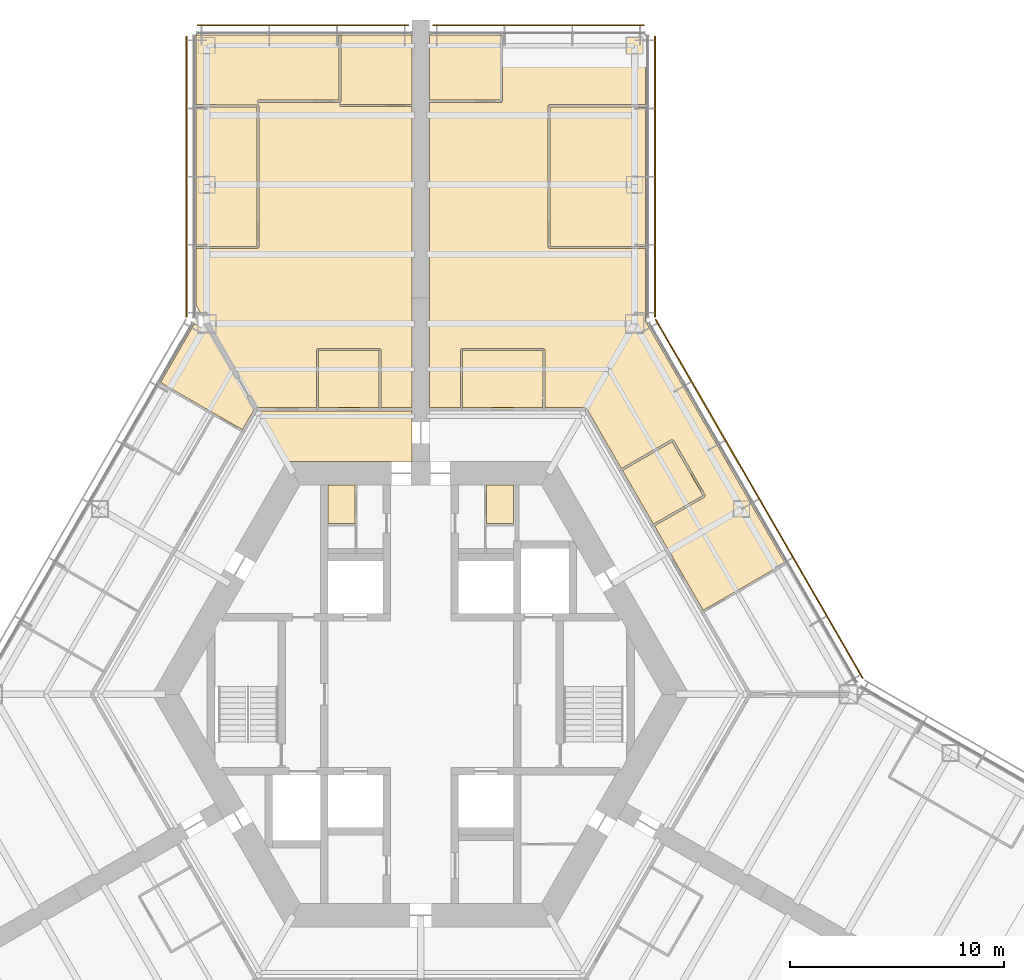
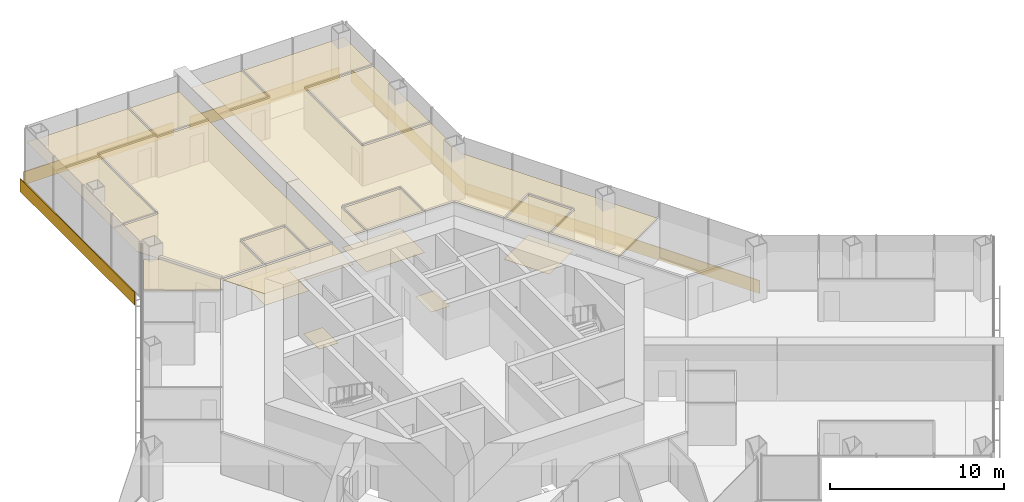
# One storey, part 19 of 19: 17 coverings, 5 shading devices.
"""IFC4 building model written with IfcOpenShell, lengths in metres."""

from ifc_helpers import new_model, si_unit, direction, frame, origin, origin_2d, place, context, subcontext, project, spatial, polyline, rectangle, outline, extrude, material, layer, layer_set, type_object, element, save


model = new_model("IFC4")

# Units and contexts
model_context = context("Model", 3, precision=1e-05, world=origin(), true_north=direction((0.0, 1.0)))
body_context = subcontext(model_context, "Body", "Model", "MODEL_VIEW")
ifc_project = project(units=[si_unit("LENGTHUNIT", "METRE"), si_unit("AREAUNIT", "SQUARE_METRE"), si_unit("VOLUMEUNIT", "CUBIC_METRE"), si_unit("PLANEANGLEUNIT", "RADIAN"), si_unit("MASSUNIT", "GRAM", prefix="KILO")], contexts=[model_context])

# Site, building, storey
site_placement = place(None, origin())
site = spatial("IfcSite", under=ifc_project, at=site_placement, CompositionType="ELEMENT")
building_placement = place(site_placement, origin())
building = spatial("IfcBuilding", under=site, at=building_placement, Name="Kasaneha Research Tower", CompositionType="ELEMENT")
storey_placement = place(building_placement, frame((0.0, 0.0, 92.39990234375)))
storey = spatial("IfcBuildingStorey", under=building, at=storey_placement, Name="L23", CompositionType="ELEMENT", Elevation=92.39990234375)

# Coverings
ifc_material_1 = material(Name="Gypsum ceiling board", Category="gypsum")
ifc_layer_1 = layer(ifc_material_1, 0.02001953125)
ifc_layer_set_1 = layer_set([ifc_layer_1], Name="Suspended ceiling 20")
covering_type_1 = type_object("IfcCoveringType", Name="Suspended ceiling 20", PredefinedType="CEILING", material=ifc_layer_set_1)
covering_1_placement = place(storey_placement, frame((0.0, 0.0, 2.800048828125)))
element("IfcCovering", 1, at=covering_1_placement, inside=storey, type_object=covering_type_1, Name="Ceiling L23-28", PredefinedType="CEILING", context=body_context, shape_type="SweptSolid", body=[
    extrude(outline(polyline([(1.954345703125, 13.39990234375), (1.9501953125, 16.074951171875), (5.70703125, 16.074951171875), (5.70263671875, 13.39990234375), (1.954345703125, 13.39990234375)])), origin(), (0.0, 0.0, 1.0), 0.02001953125),
])
covering_2_placement = place(storey_placement, frame((0.0, 0.0, 2.800048828125)))
element("IfcCovering", 2, at=covering_2_placement, inside=storey, type_object=covering_type_1, Name="Ceiling L23-29", PredefinedType="CEILING", context=body_context, shape_type="SweptSolid", body=[
    extrude(outline(polyline([(11.746337890625, 11.8046875), (13.1962890625, 9.293212890625), (10.877685546875, 7.95947265625), (9.431884765625, 10.46337890625), (11.746337890625, 11.8046875)])), origin(), (0.0, 0.0, 1.0), 0.02001953125),
])
covering_3_placement = place(storey_placement, frame((0.0, 0.0, 2.800048828125)))
element("IfcCovering", 3, at=covering_3_placement, inside=storey, type_object=covering_type_1, Name="Ceiling L23-31", PredefinedType="CEILING", context=body_context, shape_type="SweptSolid", body=[
    extrude(outline(polyline([(10.5, 20.941162109375), (6.050048828125, 20.941162109375), (6.050048828125, 27.460693359375), (10.5, 27.460693359375), (10.5, 20.941162109375)])), origin(), (0.0, 0.0, 1.0), 0.02001953125),
])
covering_4_placement = place(storey_placement, frame((0.0, 0.0, 2.800048828125)))
element("IfcCovering", 4, at=covering_4_placement, inside=storey, type_object=covering_type_1, Name="Ceiling L23-32", PredefinedType="CEILING", context=body_context, shape_type="SweptSolid", body=[
    extrude(outline(polyline([(3.7666015625, 30.820556640625), (3.7666015625, 30.800537109375), (3.716796875, 30.800537109375), (3.716796875, 27.7705078125), (0.419921875, 27.7705078125), (0.419921875, 27.720458984375), (0.39990234375, 27.720458984375), (0.39990234375, 30.820556640625), (3.7666015625, 30.820556640625)])), origin(), (0.0, 0.0, 1.0), 0.02001953125),
])
covering_5_placement = place(storey_placement, frame((0.0, 0.0, 2.800048828125)))
element("IfcCovering", 5, at=covering_5_placement, inside=storey, type_object=covering_type_1, Name="Ceiling L23-33", PredefinedType="CEILING", context=body_context, shape_type="SweptSolid", body=[
    extrude(outline(polyline([(13.26513671875, 9.27490234375), (13.264892578125, 9.275146484375), (13.30810546875, 9.2998046875), (11.80810546875, 11.89794921875), (11.76513671875, 11.873291015625), (11.76513671875, 11.873291015625), (11.7646484375, 11.873046875), (11.73974609375, 11.916259765625), (9.3818359375, 10.550048828125), (7.758056640625, 13.362548828125), (7.693603515625, 13.3251953125), (7.693603515625, 13.325439453125), (7.693115234375, 13.325439453125), (7.693115234375, 13.39990234375), (5.802734375, 13.39990234375), (5.806884765625, 16.125), (5.757080078125, 16.125), (5.757080078125, 16.12548828125), (5.757080078125, 16.12548828125), (5.757080078125, 16.175048828125), (1.89990234375, 16.175048828125), (1.89990234375, 16.12548828125), (1.899658203125, 16.12548828125), (1.899658203125, 16.125), (1.85009765625, 16.125), (1.8544921875, 13.39990234375), (0.419921875, 13.39990234375), (0.419921875, 13.325439453125), (0.39990234375, 13.325439453125), (0.39990234375, 27.719970703125), (0.419921875, 27.719970703125), (0.419921875, 27.67041015625), (3.7666015625, 27.67041015625), (3.7666015625, 27.72021484375), (3.76708984375, 27.72021484375), (3.76708984375, 27.720458984375), (3.816650390625, 27.720458984375), (3.816650390625, 30.800537109375), (3.76708984375, 30.800537109375), (3.76708984375, 30.820556640625), (10.5, 30.820556640625), (10.5, 27.560791015625), (6.0, 27.560791015625), (6.0, 27.510986328125), (5.99951171875, 27.510986328125), (5.99951171875, 27.5107421875), (5.949951171875, 27.5107421875), (5.949951171875, 20.89111328125), (5.99951171875, 20.89111328125), (5.99951171875, 20.890869140625), (6.0, 20.890869140625), (6.0, 20.841064453125), (10.5, 20.841064453125), (10.5, 17.45458984375), (17.055908203125, 6.09912109375), (17.055908203125, 6.09912109375), (17.03125, 6.14208984375), (13.205078125, 3.927978515625), (10.927490234375, 7.872802734375), (13.28955078125, 9.2314453125), (13.264892578125, 9.274658203125), (13.26513671875, 9.27490234375)])), origin(), (0.0, 0.0, 1.0), 0.02001953125),
])
covering_6_placement = place(storey_placement, frame((0.0, 0.0, 2.800048828125)))
element("IfcCovering", 6, at=covering_6_placement, inside=storey, type_object=covering_type_1, Name="Ceiling L23-34", PredefinedType="CEILING", context=body_context, shape_type="SweptSolid", body=[
    extrude(outline(polyline([(-0.39990234375, 11.72509765625), (-0.39990234375, 10.875), (-6.278564453125, 10.875), (-7.64990234375, 13.25), (-7.64990234375, 13.25), (-4.833984375, 13.25), (-4.824462890625, 13.25), (-1.904541015625, 13.25), (-1.89501953125, 13.25), (-0.419921875, 13.25), (-0.419921875, 13.324951171875), (-0.39990234375, 13.324951171875), (-0.39990234375, 12.72509765625), (-0.39990234375, 11.72509765625)])), origin(), (0.0, 0.0, 1.0), 0.02001953125),
])
covering_7_placement = place(storey_placement, frame((0.0, 0.0, 2.800048828125)))
element("IfcCovering", 7, at=covering_7_placement, inside=storey, type_object=covering_type_1, Name="Ceiling L23-35", PredefinedType="CEILING", context=body_context, shape_type="SweptSolid", body=[
    extrude(outline(polyline([(-4.77880859375, 16.074951171875), (-1.9501953125, 16.074951171875), (-1.954345703125, 13.39990234375), (-4.774658203125, 13.39990234375), (-4.77880859375, 16.074951171875)])), origin(), (0.0, 0.0, 1.0), 0.02001953125),
])
covering_8_placement = place(storey_placement, frame((0.0, 0.0, 2.800048828125)))
element("IfcCovering", 8, at=covering_8_placement, inside=storey, type_object=covering_type_1, Name="Ceiling L23-36", PredefinedType="CEILING", context=body_context, shape_type="SweptSolid", body=[
    extrude(outline(polyline([(-10.5, 27.460693359375), (-7.654052734375, 27.455322265625), (-7.650146484375, 20.941162109375), (-10.5, 20.941162109375), (-10.5, 27.460693359375)])), origin(), (0.0, 0.0, 1.0), 0.02001953125),
])
covering_9_placement = place(storey_placement, frame((0.0, 0.0, 2.800048828125)))
element("IfcCovering", 9, at=covering_9_placement, inside=storey, type_object=covering_type_1, Name="Ceiling L23-37", PredefinedType="CEILING", context=body_context, shape_type="SweptSolid", body=[
    extrude(outline(polyline([(-0.39990234375, 27.5205078125), (-0.419921875, 27.5205078125), (-0.419921875, 27.570556640625), (-3.7666015625, 27.570556640625), (-3.7666015625, 27.675048828125), (-3.7666015625, 27.675048828125), (-3.7666015625, 27.701904296875), (-3.7666015625, 27.715576171875), (-3.716796875, 27.715576171875), (-3.716796875, 30.800537109375), (-3.7666015625, 30.800537109375), (-3.7666015625, 30.820556640625), (-0.39990234375, 30.820556640625), (-0.39990234375, 27.5205078125)])), origin(), (0.0, 0.0, 1.0), 0.02001953125),
])
covering_10_placement = place(storey_placement, frame((0.0, 0.0, 2.800048828125)))
element("IfcCovering", 10, at=covering_10_placement, inside=storey, type_object=covering_type_1, Name="Ceiling L23-38", PredefinedType="CEILING", context=body_context, shape_type="SweptSolid", body=[
    extrude(outline(polyline([(-7.599609375, 27.5107421875), (-7.60009765625, 27.5107421875), (-7.599853515625, 27.55517578125), (-10.5, 27.560791015625), (-10.5, 27.510986328125), (-10.50048828125, 27.510986328125), (-10.500244140625, 30.821044921875), (-3.7666015625, 30.820556640625), (-3.7666015625, 30.800537109375), (-3.816650390625, 30.800537109375), (-3.816650390625, 27.77490234375), (-7.59912109375, 27.76953125), (-7.59912109375, 27.719482421875), (-7.599609375, 27.5107421875)])), origin(), (0.0, 0.0, 1.0), 0.02001953125),
])
covering_11_placement = place(storey_placement, frame((0.0, 0.0, 2.800048828125)))
element("IfcCovering", 11, at=covering_11_placement, inside=storey, type_object=covering_type_1, Name="Ceiling L23-39", PredefinedType="CEILING", context=body_context, shape_type="SweptSolid", body=[
    extrude(outline(polyline([(-1.89990234375, 16.125244140625), (-1.89990234375, 16.175048828125), (-4.8291015625, 16.175048828125), (-4.8291015625, 16.12548828125), (-4.8291015625, 16.125), (-4.87890625, 16.125), (-4.87451171875, 13.39990234375), (-7.670166015625, 13.39990234375), (-7.670166015625, 13.325439453125), (-7.693359375, 13.325439453125), (-10.5, 18.1865234375), (-10.5, 20.841064453125), (-7.60009765625, 20.841064453125), (-7.60009765625, 20.890869140625), (-7.599609375, 20.890869140625), (-7.599609375, 20.89111328125), (-7.550048828125, 20.89111328125), (-7.553955078125, 27.5107421875), (-7.59912109375, 27.5107421875), (-7.59912109375, 27.719482421875), (-7.598876953125, 27.66943359375), (-3.76708984375, 27.675048828125), (-3.7666015625, 27.52001953125), (-3.7666015625, 27.52001953125), (-3.7666015625, 27.470458984375), (-0.419921875, 27.470458984375), (-0.419921875, 27.52001953125), (-0.39990234375, 27.52001953125), (-0.39990234375, 13.325439453125), (-0.419921875, 13.325439453125), (-0.419921875, 13.39990234375), (-1.8544921875, 13.39990234375), (-1.85009765625, 16.125), (-1.899658203125, 16.125), (-1.899658203125, 16.125244140625), (-1.89990234375, 16.125244140625)])), origin(), (0.0, 0.0, 1.0), 0.02001953125),
])
covering_12_placement = place(storey_placement, frame((0.0, 0.0, 2.800048828125)))
element("IfcCovering", 12, at=covering_12_placement, inside=storey, type_object=covering_type_1, Name="Ceiling L23-44", PredefinedType="CEILING", context=body_context, shape_type="SweptSolid", body=[
    extrude(outline(polyline([(-10.578369140625, 17.318603515625), (-9.709228515625, 16.81689453125), (-7.693115234375, 13.324951171875), (-7.704833984375, 13.304931640625), (-7.76953125, 13.342529296875), (-8.331298828125, 12.369873046875), (-9.654052734375, 13.128662109375), (-9.656494140625, 13.12451171875), (-12.16162109375, 14.576416015625), (-12.1865234375, 14.533203125), (-12.1865234375, 14.533203125), (-10.578369140625, 17.318603515625)])), origin(), (0.0, 0.0, 1.0), 0.02001953125),
])

# Shading devices
ifc_material_2 = material(Name="Terracotta", Category="masonry")
ifc_layer_2 = layer(ifc_material_2, 0.06005859375)
ifc_layer_set_2 = layer_set([ifc_layer_2], Name="Terracotta baguette screen")
shading_device_type = type_object("IfcShadingDeviceType", Name="Terracotta baguette screen", PredefinedType="USERDEFINED", material=ifc_layer_set_2)
shading_device_1_placement = place(storey_placement, frame((15.82275390625, 9.13525390625, -0.449951171875), z_axis=(0.0, 0.0, 1.0), x_axis=(-0.49999996188, 0.866025425793, 0.0)))
element("IfcShadingDevice", 13, at=shading_device_1_placement, inside=storey, type_object=shading_device_type, Name="Baguette screen L23 07", ObjectType="TERRACOTTA BAGUETTE SCREEN", PredefinedType="USERDEFINED", context=body_context, shape_type="SweptSolid", body=[
    extrude(rectangle(XDim=19.37841796875, YDim=0.06005859375, at=origin_2d()), origin(), (0.0, 0.0, 1.0), 0.89990234375),
])
shading_device_2_placement = place(storey_placement, frame((10.949951171875, 24.200927734375, -0.449951171875), z_axis=(0.0, 0.0, 1.0), x_axis=(0.0, 1.0, 0.0)))
element("IfcShadingDevice", 14, at=shading_device_2_placement, inside=storey, type_object=shading_device_type, Name="Baguette screen L23 08", ObjectType="TERRACOTTA BAGUETTE SCREEN", PredefinedType="USERDEFINED", context=body_context, shape_type="SweptSolid", body=[
    extrude(rectangle(XDim=13.13916015625, YDim=0.06005859375, at=origin_2d()), origin(), (0.0, 0.0, 1.0), 0.89990234375),
])
for number, where, z_axis, x_axis, name in (
    (15, (5.5, 31.2705078125, -0.449951171875), (0.0, 0.0, 1.0), (-1.0, 0.0, 0.0), "Baguette screen L23 09"),
    (16, (-5.5, 31.2705078125, -0.449951171875), (0.0, 0.0, 1.0), (-1.0, 0.0, 0.0), "Baguette screen L23 10"),
):
    element("IfcShadingDevice", number, at=place(storey_placement, frame(where, z_axis=z_axis, x_axis=x_axis)), inside=storey, type_object=shading_device_type, Name=name, ObjectType="TERRACOTTA BAGUETTE SCREEN", PredefinedType="USERDEFINED", context=body_context, shape_type="SweptSolid", body=[
        extrude(rectangle(XDim=9.89990234375, YDim=0.06005859375, at=origin_2d()), origin(), (0.0, 0.0, 1.0), 0.89990234375),
    ])
shading_device_3_placement = place(storey_placement, frame((-10.949951171875, 24.200927734375, -0.449951171875), z_axis=(0.0, 0.0, 1.0), x_axis=(0.0, -1.0, 0.0)))
element("IfcShadingDevice", 17, at=shading_device_3_placement, inside=storey, type_object=shading_device_type, Name="Baguette screen L23 11", ObjectType="TERRACOTTA BAGUETTE SCREEN", PredefinedType="USERDEFINED", context=body_context, shape_type="SweptSolid", body=[
    extrude(rectangle(XDim=13.13916015625, YDim=0.06005859375, at=origin_2d()), origin(), (0.0, 0.0, 1.0), 0.89990234375),
])

# Coverings
ifc_material_3 = material(Name="Vinyl sheet flooring", Category="plastic")
ifc_layer_3 = layer(ifc_material_3, 0.0048828125)
ifc_layer_set_3 = layer_set([ifc_layer_3], Name="Wet room sheet flooring 5")
covering_type_2 = type_object("IfcCoveringType", Name="Wet room sheet flooring 5", PredefinedType="FLOORING", material=ifc_layer_set_3)
covering_13_placement = place(storey_placement, origin())
element("IfcCovering", 18, at=covering_13_placement, inside=storey, type_object=covering_type_2, Name="Floor finish L23-07", PredefinedType="FLOORING", context=body_context, shape_type="SweptSolid", body=[
    extrude(outline(polyline([(-4.324951171875, 7.97509765625), (-4.324951171875, 9.77490234375), (-3.074951171875, 9.77490234375), (-3.074951171875, 7.97509765625), (-4.324951171875, 7.97509765625)])), origin(), (0.0, 0.0, 1.0), 0.005126953125),
])
covering_14_placement = place(storey_placement, origin())
element("IfcCovering", 19, at=covering_14_placement, inside=storey, type_object=covering_type_2, Name="Floor finish L23-10", PredefinedType="FLOORING", context=body_context, shape_type="SweptSolid", body=[
    extrude(outline(polyline([(4.324951171875, 7.97509765625), (3.074951171875, 7.97509765625), (3.074951171875, 9.77490234375), (4.324951171875, 9.77490234375), (4.324951171875, 7.97509765625)])), origin(), (0.0, 0.0, 1.0), 0.005126953125),
])
covering_15_placement = place(storey_placement, origin())
element("IfcCovering", 20, at=covering_15_placement, inside=storey, type_object=covering_type_2, Name="Floor finish L23-28", PredefinedType="FLOORING", context=body_context, shape_type="SweptSolid", body=[
    extrude(outline(polyline([(1.89990234375, 16.125), (5.757080078125, 16.125), (5.757080078125, 13.324951171875), (1.89990234375, 13.324951171875), (1.89990234375, 16.125)])), origin(), (0.0, 0.0, 1.0), 0.005126953125),
])
covering_16_placement = place(storey_placement, origin())
element("IfcCovering", 21, at=covering_16_placement, inside=storey, type_object=covering_type_2, Name="Floor finish L23-29", PredefinedType="FLOORING", context=body_context, shape_type="SweptSolid", body=[
    extrude(outline(polyline([(11.7646484375, 11.873046875), (13.2646484375, 9.27490234375), (10.83984375, 7.875), (9.33984375, 10.472900390625), (11.7646484375, 11.873046875)])), origin(), (0.0, 0.0, 1.0), 0.005126953125),
])
covering_17_placement = place(storey_placement, origin())
element("IfcCovering", 22, at=covering_17_placement, inside=storey, type_object=covering_type_2, Name="Floor finish L23-35", PredefinedType="FLOORING", context=body_context, shape_type="SweptSolid", body=[
    extrude(outline(polyline([(-4.8291015625, 16.125), (-1.89990234375, 16.125), (-1.89990234375, 13.324951171875), (-4.8291015625, 13.324951171875), (-4.8291015625, 16.125)])), origin(), (0.0, 0.0, 1.0), 0.005126953125),
])

save(model, "model.ifc")
